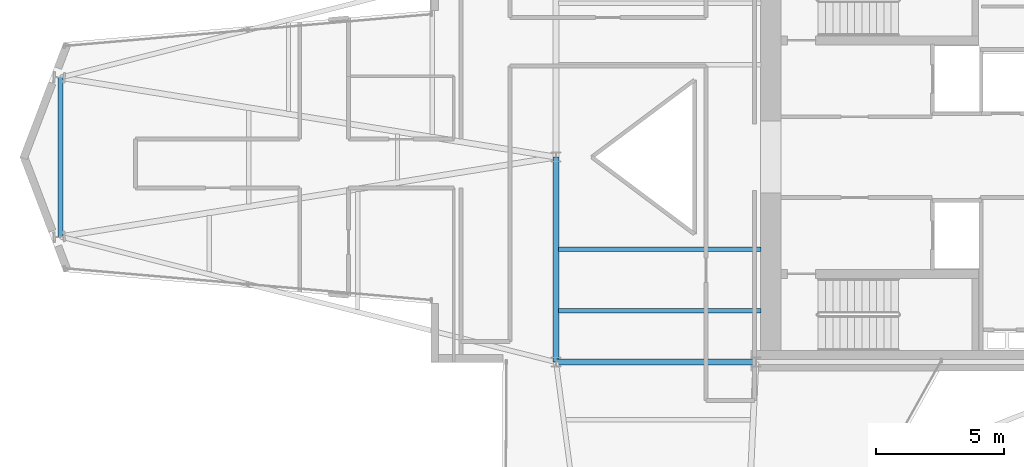
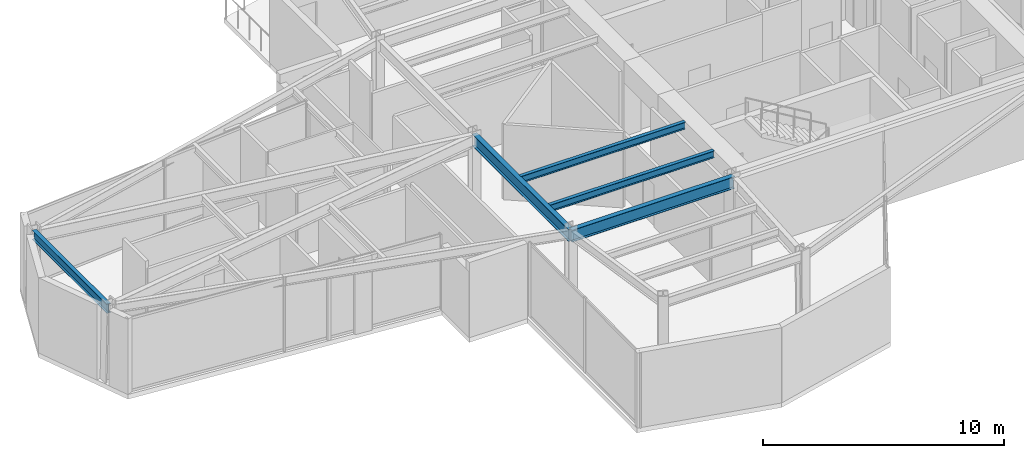
# One storey, part 6 of 23: 5 beams.
"""IFC4 building model written with IfcOpenShell, lengths in metres."""

import ifcopenshell
import ifcopenshell.guid

model = None  # the IFC model being written
_history = None  # IfcOwnerHistory: only IFC2X3 demands one
_inside = {}  # id of a spatial element -> (the spatial element, [elements in it])
_under = {}  # id of a project, library or spatial element -> (it, [spatial elements below it])
_declared = {}  # id of a project -> (the project, [libraries it declares])
_typed = {}  # id of a type object -> (the type object, [elements of that type])
_made_of = {}  # id of a material, layer set ... -> (it, [elements and type objects made of it])


def new_model(schema):
    """Start an empty IFC model of exactly this schema.

    Asked for "IFC4X3", IfcOpenShell would pick the latest addendum, in which some entities
    have other attributes; the version numbers below select the first issue.
    IFC2X3 requires an IfcOwnerHistory on every rooted entity: one is made here for all.
    """
    global model, _history
    if schema == "IFC4X3":
        model = ifcopenshell.file(schema_version=(4, 3, 0, 0))
    else:
        model = ifcopenshell.file(schema=schema)
    _inside.clear()
    _under.clear()
    _declared.clear()
    _typed.clear()
    _made_of.clear()
    _history = None
    if model.schema == "IFC2X3":
        org = make("IfcOrganization", Name="unknown")
        user = make(
            "IfcPersonAndOrganization",
            ThePerson=make("IfcPerson", FamilyName="unknown"),
            TheOrganization=org,
        )
        app = make(
            "IfcApplication",
            ApplicationDeveloper=org,
            Version="unknown",
            ApplicationFullName="unknown",
            ApplicationIdentifier="unknown",
        )
        _history = make(
            "IfcOwnerHistory",
            OwningUser=user,
            OwningApplication=app,
            ChangeAction="ADDED",
            CreationDate=0,
        )
    return model


def make(cls, **values):
    """One entity of the class cls with the attributes given. An attribute that is None is left unset."""
    return model.create_entity(
        cls, **{name: value for name, value in values.items() if value is not None}
    )


def rooted(cls, **values):
    """An entity with a GlobalId (a new one), such as an element, a storey or a relation."""
    return make(cls, GlobalId=ifcopenshell.guid.new(), OwnerHistory=_history, **values)


def si_unit(unit_type, name, prefix=None):
    """IfcSIUnit, for example si_unit("LENGTHUNIT", "METRE", prefix="MILLI")."""
    return make("IfcSIUnit", UnitType=unit_type, Prefix=prefix, Name=name)


def assignment(units):
    """IfcUnitAssignment: the units of a project."""
    return None if units is None else make("IfcUnitAssignment", Units=units)


def point(xyz):
    """IfcCartesianPoint."""
    return None if xyz is None else make("IfcCartesianPoint", Coordinates=xyz)


def direction(xyz):
    """IfcDirection."""
    return None if xyz is None else make("IfcDirection", DirectionRatios=xyz)


def frame(location, z_axis=None, x_axis=None):
    """IfcAxis2Placement3D, a coordinate frame: its origin and axes. An axis left out is left unset."""
    return make(
        "IfcAxis2Placement3D",
        Location=point(location),
        Axis=direction(z_axis),
        RefDirection=direction(x_axis),
    )


def frame_2d(location, x_axis=None):
    """IfcAxis2Placement2D, a coordinate frame in the plane: its origin and x axis."""
    return make(
        "IfcAxis2Placement2D", Location=point(location), RefDirection=direction(x_axis)
    )


def origin():
    """The frame at (0, 0, 0) with its axes left unset."""
    return frame((0.0, 0.0, 0.0))


def origin_2d():
    """The frame at (0, 0) in the plane with its x axis left unset."""
    return frame_2d((0.0, 0.0))


def place(relative_to, where):
    """IfcLocalPlacement: puts the frame where relative to a parent placement (None: the world)."""
    return make(
        "IfcLocalPlacement", PlacementRelTo=relative_to, RelativePlacement=where
    )


def context(
    kind, dimensions, precision=None, world=None, true_north=None, identifier=None
):
    """IfcGeometricRepresentationContext, for example the 3D "Model" context."""
    return make(
        "IfcGeometricRepresentationContext",
        ContextIdentifier=identifier,
        ContextType=kind,
        CoordinateSpaceDimension=dimensions,
        Precision=precision,
        WorldCoordinateSystem=world,
        TrueNorth=true_north,
    )


def subcontext(parent, identifier, kind, view, scale=None):
    """IfcGeometricRepresentationSubContext, for example "Body" below "Model"."""
    return make(
        "IfcGeometricRepresentationSubContext",
        ContextIdentifier=identifier,
        ContextType=kind,
        ParentContext=parent,
        TargetScale=scale,
        TargetView=view,
    )


def project(units=None, contexts=None):
    """IfcProject with its units and contexts."""
    return rooted(
        "IfcProject",
        Name="project",
        RepresentationContexts=contexts,
        UnitsInContext=assignment(units),
    )


def spatial(cls, under=None, at=None, **own):
    """A site, building, storey or space (cls), placed at a placement, below another one or the project."""
    s = rooted(cls, ObjectPlacement=at, **own)
    if under is not None:
        _under.setdefault(under.id(), (under, []))[1].append(s)
    return s


def profile(cls, at=None, kind="AREA", **sizes):
    """A parametric profile (cls). Its sizes go by their IFC names, for example OverallWidth=200.0."""
    return make(cls, ProfileType=kind, Position=at, **sizes)


def i_section(**sizes):
    """IfcIShapeProfileDef."""
    return profile("IfcIShapeProfileDef", **sizes)


def extrude(swept, where, along, depth):
    """IfcExtrudedAreaSolid: the profile swept, set in the frame where, extruded along a direction by depth."""
    return make(
        "IfcExtrudedAreaSolid",
        SweptArea=swept,
        Position=where,
        ExtrudedDirection=direction(along),
        Depth=depth,
    )


def shape(context_of_items, identifier, shape_type, items):
    """IfcShapeRepresentation: the items that make up one representation, for example the "Body"."""
    return make(
        "IfcShapeRepresentation",
        ContextOfItems=context_of_items,
        RepresentationIdentifier=identifier,
        RepresentationType=shape_type,
        Items=items,
    )


def material(Name=None, Category=None):
    """IfcMaterial."""
    return make("IfcMaterial", Name=Name, Category=Category)


def material_profile(
    of_material, cross_section, Name=None, Category=None, Priority=None
):
    """IfcMaterialProfile: a cross section and its material."""
    return make(
        "IfcMaterialProfile",
        Name=Name,
        Material=of_material,
        Profile=cross_section,
        Priority=Priority,
        Category=Category,
    )


def profile_set(profiles, Name=None, composite=None):
    """IfcMaterialProfileSet."""
    return make(
        "IfcMaterialProfileSet",
        Name=Name,
        MaterialProfiles=profiles,
        CompositeProfile=composite,
    )


def made_of(thing, what):
    """Note that an element or type object is made of a material, layer set ...; save() writes the relation."""
    if what is not None:
        _made_of.setdefault(what.id(), (what, []))[1].append(thing)
    return thing


def type_object(cls, material=None, **own):
    """A type object (cls), such as IfcWallType, which elements share."""
    return made_of(rooted(cls, **own), material)


def element(
    cls,
    number,
    at=None,
    inside=None,
    cuts=None,
    type_object=None,
    material=None,
    context=None,
    identifier="Body",
    shape_type=None,
    held_by="IfcProductDefinitionShape",
    body=None,
    shapes=None,
    **own,
):
    """One element of the class cls, such as IfcWall. Its Tag is "e" and its number.

    at: its placement. inside: the storey or other place that contains it. cuts: it is an
    opening in that element (IfcRelVoidsElement). A single representation is given by context,
    identifier, shape_type and body (its items); several are given by shapes. held_by: the class
    of the entity that holds the representations. save() writes the other relations.
    """
    e = rooted(cls, Tag="e%d" % number, ObjectPlacement=at, **own)
    if body is not None:
        shapes = [shape(context, identifier, shape_type, body)]
    if shapes is not None:
        e.Representation = make(held_by, Representations=shapes)
    if inside is not None:
        _inside.setdefault(inside.id(), (inside, []))[1].append(e)
    if cuts is not None:
        rooted(
            "IfcRelVoidsElement", RelatingBuildingElement=cuts, RelatedOpeningElement=e
        )
    if type_object is not None:
        _typed.setdefault(type_object.id(), (type_object, []))[1].append(e)
    return made_of(e, material)


def aggregate(whole, parts):
    """IfcRelAggregates: a whole, such as a stair, and the parts it consists of."""
    return rooted("IfcRelAggregates", RelatingObject=whole, RelatedObjects=parts)


def save(model, path):
    """Write the relations noted so far, then the file.

    IfcRelAggregates (storeys below a building ...), IfcRelContainedInSpatialStructure (elements
    in a storey), IfcRelDefinesByType, IfcRelAssociatesMaterial and IfcRelDeclares: one each for
    every whole, place, type object, material and project.
    """
    for whole, parts in _under.values():
        aggregate(whole, parts)
    for where, things in _inside.values():
        rooted(
            "IfcRelContainedInSpatialStructure",
            RelatedElements=things,
            RelatingStructure=where,
        )
    for kind, things in _typed.values():
        rooted("IfcRelDefinesByType", RelatedObjects=things, RelatingType=kind)
    for what, things in _made_of.values():
        rooted("IfcRelAssociatesMaterial", RelatedObjects=things, RelatingMaterial=what)
    for by, libraries in _declared.values():
        rooted("IfcRelDeclares", RelatingContext=by, RelatedDefinitions=libraries)
    model.write(path)


model = new_model("IFC4")

# Units and contexts
model_context = context("Model", 3, precision=1e-05, world=origin(), true_north=direction((0.0, 1.0)))
body_context = subcontext(model_context, "Body", "Model", "MODEL_VIEW")
ifc_project = project(units=[si_unit("LENGTHUNIT", "METRE"), si_unit("AREAUNIT", "SQUARE_METRE"), si_unit("VOLUMEUNIT", "CUBIC_METRE"), si_unit("PLANEANGLEUNIT", "RADIAN"), si_unit("MASSUNIT", "GRAM", prefix="KILO")], contexts=[model_context])

# Site, building, storey
site_placement = place(None, origin())
site = spatial("IfcSite", under=ifc_project, at=site_placement, CompositionType="ELEMENT")
building_placement = place(site_placement, origin())
building = spatial("IfcBuilding", under=site, at=building_placement, Name="Veymaron Broadcast Tower", CompositionType="ELEMENT")
storey_placement = place(building_placement, frame((0.0, 0.0, 161.39990234375)))
storey = spatial("IfcBuildingStorey", under=building, at=storey_placement, Name="L37", CompositionType="ELEMENT", Elevation=161.39990234375)

# Beams
ifc_material = material(Name="Structural steel ASTM A992 Gr 50", Category="steel")
ifc_material_profile_1 = material_profile(ifc_material, i_section(OverallWidth=0.22802734375, OverallDepth=0.60791015625, WebThickness=0.01123046875, FlangeThickness=0.017333984375, at=origin_2d()), Name="W610X113")
ifc_profile_set_1 = profile_set([ifc_material_profile_1], Name="Structural steel ASTM A992 Gr 50")
beam_type_1 = type_object("IfcBeamType", Name="BM-FG2", PredefinedType="BEAM", material=ifc_profile_set_1)
beam_1_placement = place(storey_placement, frame((31.199951171875, 16.0, 3.506103515625), z_axis=(0.0, 1.0, 0.0), x_axis=(-1.0, 0.0, 0.0)))
element("IfcBeam", 1, at=beam_1_placement, inside=storey, type_object=beam_type_1, Name="L37 primary structural floor girder", PredefinedType="BEAM", context=body_context, shape_type="SweptSolid", body=[
    extrude(i_section(OverallWidth=0.22802734375, OverallDepth=0.60791015625, WebThickness=0.01123046875, FlangeThickness=0.017333984375, at=origin_2d()), origin(), (0.0, 0.0, 1.0), 8.0),
])
beam_2_placement = place(storey_placement, frame((31.199951171875, 16.0, 3.506103515625), z_axis=(1.0, 0.0, 0.0), x_axis=(0.0, 1.0, 0.0)))
element("IfcBeam", 2, at=beam_2_placement, inside=storey, type_object=beam_type_1, Name="L37 primary structural floor girder", PredefinedType="BEAM", context=body_context, shape_type="SweptSolid", body=[
    extrude(i_section(OverallWidth=0.22802734375, OverallDepth=0.60791015625, WebThickness=0.01123046875, FlangeThickness=0.017333984375, at=origin_2d()), origin(), (0.0, 0.0, 1.0), 7.800048828125),
])
ifc_material_profile_2 = material_profile(ifc_material, i_section(OverallWidth=0.1708984375, OverallDepth=0.35498046875, WebThickness=0.007080078125, FlangeThickness=0.01171875, at=origin_2d()), Name="W360X51")
ifc_profile_set_2 = profile_set([ifc_material_profile_2], Name="Structural steel ASTM A992 Gr 50")
beam_type_2 = type_object("IfcBeamType", Name="BM-JS2", PredefinedType="JOIST", material=ifc_profile_set_2)
for number, where, z_axis, x_axis, name in (
    (3, (31.300048828125, 18.0, 3.632568359375), (1.0, 0.0, 0.0), (0.0, 1.0, 0.0), "L37 Hub secondary joist 1"),
    (4, (31.300048828125, 20.39990234375, 3.632568359375), (1.0, 0.0, 0.0), (0.0, 1.0, 0.0), "L37 Hub secondary joist 2"),
):
    element("IfcBeam", number, at=place(storey_placement, frame(where, z_axis=z_axis, x_axis=x_axis)), inside=storey, type_object=beam_type_2, Name=name, PredefinedType="JOIST", context=body_context, shape_type="SweptSolid", body=[
        extrude(i_section(OverallWidth=0.1708984375, OverallDepth=0.35498046875, WebThickness=0.007080078125, FlangeThickness=0.01171875, at=origin_2d()), origin(), (0.0, 0.0, 1.0), 7.89990234375),
    ])
ifc_material_profile_3 = material_profile(ifc_material, i_section(OverallWidth=0.19091796875, OverallDepth=0.4599609375, WebThickness=0.010009765625, FlangeThickness=0.01611328125, at=origin_2d()), Name="W460X82")
ifc_profile_set_3 = profile_set([ifc_material_profile_3], Name="Structural steel ASTM A992 Gr 50")
beam_type_3 = type_object("IfcBeamType", Name="BM-SP1", PredefinedType="SPANDREL", material=ifc_profile_set_3)
beam_3_placement = place(storey_placement, frame((11.87109375, 20.89501953125, 3.580078125), z_axis=(0.0, 1.0, 0.0), x_axis=(-1.0, 0.0, 0.0)))
element("IfcBeam", 5, at=beam_3_placement, inside=storey, type_object=beam_type_3, Name="L37 primary structural floor girder", PredefinedType="SPANDREL", context=body_context, shape_type="SweptSolid", body=[
    extrude(i_section(OverallWidth=0.19091796875, OverallDepth=0.4599609375, WebThickness=0.010009765625, FlangeThickness=0.01611328125, at=origin_2d()), origin(), (0.0, 0.0, 1.0), 6.2099609375),
])

save(model, "model.ifc")
